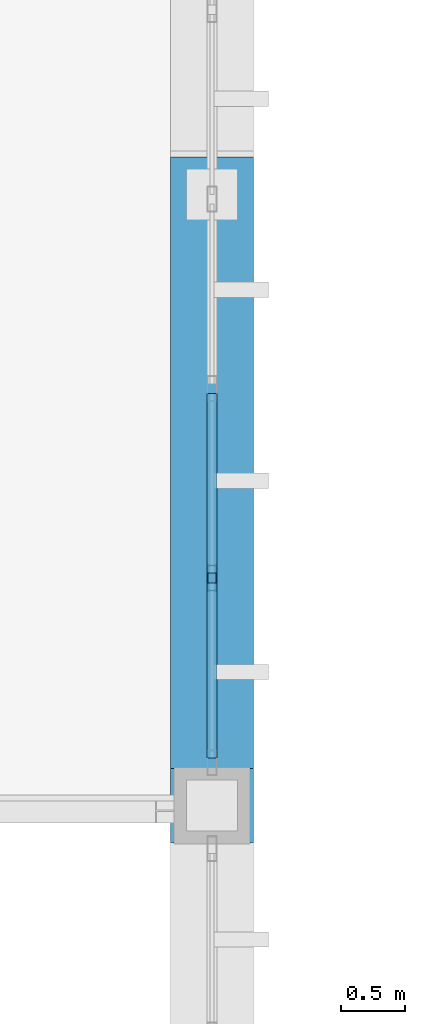
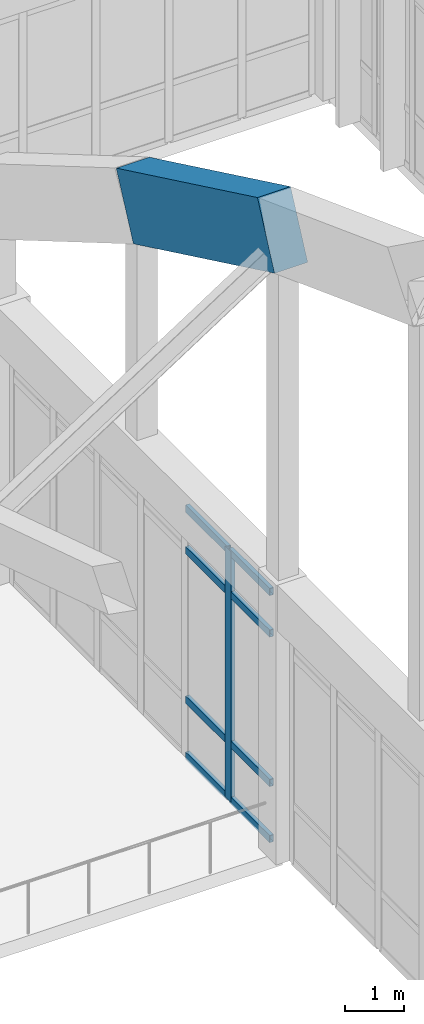
# One storey, part 156 of 236: 10 members, 1 element without a shape of its own.
"""IFC4 building model written with IfcOpenShell, lengths in metres."""

from ifc_helpers import new_model, si_unit, direction, frame, origin, origin_2d, place, context, subcontext, project, spatial, rectangle, hollow_rectangle, extrude, material, layer, layer_set, material_profile, profile_set, type_object, element, aggregate, save


model = new_model("IFC4")

# Units and contexts
model_context = context("Model", 3, precision=1e-05, world=origin(), true_north=direction((0.0, 1.0)))
body_context = subcontext(model_context, "Body", "Model", "MODEL_VIEW")
ifc_project = project(units=[si_unit("LENGTHUNIT", "METRE"), si_unit("AREAUNIT", "SQUARE_METRE"), si_unit("VOLUMEUNIT", "CUBIC_METRE"), si_unit("PLANEANGLEUNIT", "RADIAN"), si_unit("MASSUNIT", "GRAM", prefix="KILO")], contexts=[model_context])

# Site, building, storey
site_placement = place(None, origin())
site = spatial("IfcSite", under=ifc_project, at=site_placement, CompositionType="ELEMENT")
building_placement = place(site_placement, origin())
building = spatial("IfcBuilding", under=site, at=building_placement, Name="Pandanus Reach Market Hall", CompositionType="ELEMENT")
storey_placement = place(building_placement, frame((0.0, 0.0, 5.39990234375)))
storey = spatial("IfcBuildingStorey", under=building, at=storey_placement, Name="L01", CompositionType="ELEMENT", Elevation=5.39990234375)

# Member
ifc_material_1 = material(Name="Concrete N50 (50 MPa)", Category="concrete")
ifc_material_profile_1 = material_profile(ifc_material_1, rectangle(XDim=0.64990234375, YDim=1.35009765625, at=origin_2d()), Name="RC650x1350", Category="LoadBearing")
ifc_profile_set_1 = profile_set([ifc_material_profile_1], Name="Concrete N50 (50 MPa)")
member_type_1 = type_object("IfcMemberType", Name="AR-RC650-E", PredefinedType="CHORD", material=ifc_profile_set_1)
member_1_placement = place(storey_placement, frame((132.0, 76.800048828125, 12.89111328125), z_axis=(0.0, 0.901832040997, -0.432086761924), x_axis=(-1.0, 0.0, 0.0)))
element("IfcMember", 1, at=member_1_placement, inside=storey, type_object=member_type_1, Name="Parabolic arch top chord A8.11", PredefinedType="CHORD", context=body_context, shape_type="SweptSolid", body=[
    extrude(rectangle(XDim=0.64990234375, YDim=1.35009765625, at=origin_2d()), origin(), (0.0, 0.0, 1.0), 5.322509765625),
])

# Curtain wall, members
ifc_material_2 = material(Name="Bronze anodised aluminium and low-E glass", Category="aluminium")
ifc_layer = layer(ifc_material_2, 0.199951171875, Name="CW-04")
ifc_layer_set = layer_set([ifc_layer], Name="Bronze anodised aluminium and low-E glass")
curtain_wall_type = type_object("IfcCurtainWallType", Name="CW-04", PredefinedType="NOTDEFINED", material=ifc_layer_set)
curtain_wall_placement = place(storey_placement, origin())
curtain_wall = element("IfcCurtainWall", 2, at=curtain_wall_placement, inside=storey, type_object=curtain_wall_type, Name="Glazed curtain wall CW-04 CW-0037", PredefinedType="NOTDEFINED")
ifc_material_3 = material(Name="Bronze anodised aluminium", Category="aluminium")
ifc_material_profile_2 = material_profile(ifc_material_3, hollow_rectangle(XDim=0.074951171875, YDim=0.199951171875, WallThickness=0.00439453125, at=origin_2d()), Name="ALU75x200", Category="LoadBearing")
ifc_profile_set_2 = profile_set([ifc_material_profile_2], Name="Bronze anodised aluminium")
member_type_2 = type_object("IfcMemberType", Name="CW-M2", PredefinedType="MULLION", material=ifc_profile_set_2)
member_2_placement = place(storey_placement, frame((132.0, 78.58740234375, 0.0), z_axis=(0.0, 0.0, 1.0), x_axis=(-1.0, 0.0, 0.0)))
member_2 = element("IfcMember", 3, at=member_2_placement, type_object=member_type_2, Name="CW-04 mullion 2", PredefinedType="MULLION", context=body_context, shape_type="SweptSolid", body=[
    extrude(hollow_rectangle(XDim=0.074951171875, YDim=0.199951171875, WallThickness=0.00439453125, at=origin_2d()), origin(), (0.0, 0.0, 1.0), 5.2001953125),
])
ifc_material_profile_3 = material_profile(ifc_material_3, hollow_rectangle(XDim=0.074951171875, YDim=0.14990234375, WallThickness=0.00439453125, at=origin_2d()), Name="ALU75x150", Category="LoadBearing")
ifc_profile_set_3 = profile_set([ifc_material_profile_3], Name="Bronze anodised aluminium")
member_type_3 = type_object("IfcMemberType", Name="CW-T2", PredefinedType="USERDEFINED", material=ifc_profile_set_3)
member_3_placement = place(storey_placement, frame((132.0, 77.175048828125, 0.03759765625), z_axis=(0.0, 1.0, 0.0), x_axis=(-1.0, 0.0, 0.0)))
member_3 = element("IfcMember", 4, at=member_3_placement, type_object=member_type_3, Name="CW-04 transom 1.1", ObjectType="TRANSOM", PredefinedType="USERDEFINED", context=body_context, shape_type="SweptSolid", body=[
    extrude(hollow_rectangle(XDim=0.074951171875, YDim=0.14990234375, WallThickness=0.00439453125, at=origin_2d()), origin(), (0.0, 0.0, 1.0), 1.375),
])
member_4_placement = place(storey_placement, frame((132.0, 77.175048828125, 1.2001953125), z_axis=(0.0, 1.0, 0.0), x_axis=(-1.0, 0.0, 0.0)))
member_4 = element("IfcMember", 5, at=member_4_placement, type_object=member_type_3, Name="CW-04 transom 1.2", ObjectType="TRANSOM", PredefinedType="USERDEFINED", context=body_context, shape_type="SweptSolid", body=[
    extrude(hollow_rectangle(XDim=0.074951171875, YDim=0.14990234375, WallThickness=0.00439453125, at=origin_2d()), origin(), (0.0, 0.0, 1.0), 1.375),
])
member_5_placement = place(storey_placement, frame((132.0, 77.175048828125, 4.300048828125), z_axis=(0.0, 1.0, 0.0), x_axis=(-1.0, 0.0, 0.0)))
member_5 = element("IfcMember", 6, at=member_5_placement, type_object=member_type_3, Name="CW-04 transom 1.3", ObjectType="TRANSOM", PredefinedType="USERDEFINED", context=body_context, shape_type="SweptSolid", body=[
    extrude(hollow_rectangle(XDim=0.074951171875, YDim=0.14990234375, WallThickness=0.00439453125, at=origin_2d()), origin(), (0.0, 0.0, 1.0), 1.375),
])
member_6_placement = place(storey_placement, frame((132.0, 77.175048828125, 5.16259765625), z_axis=(0.0, 1.0, 0.0), x_axis=(-1.0, 0.0, 0.0)))
member_6 = element("IfcMember", 7, at=member_6_placement, type_object=member_type_3, Name="CW-04 transom 1.4", ObjectType="TRANSOM", PredefinedType="USERDEFINED", context=body_context, shape_type="SweptSolid", body=[
    extrude(hollow_rectangle(XDim=0.074951171875, YDim=0.14990234375, WallThickness=0.00439453125, at=origin_2d()), origin(), (0.0, 0.0, 1.0), 1.375),
])
member_7_placement = place(storey_placement, frame((132.0, 78.625, 0.03759765625), z_axis=(0.0, 1.0, 0.0), x_axis=(-1.0, 0.0, 0.0)))
member_7 = element("IfcMember", 8, at=member_7_placement, type_object=member_type_3, Name="CW-04 transom 2.1", ObjectType="TRANSOM", PredefinedType="USERDEFINED", context=body_context, shape_type="SweptSolid", body=[
    extrude(hollow_rectangle(XDim=0.074951171875, YDim=0.14990234375, WallThickness=0.00439453125, at=origin_2d()), origin(), (0.0, 0.0, 1.0), 1.41259765625),
])
member_8_placement = place(storey_placement, frame((132.0, 78.625, 1.2001953125), z_axis=(0.0, 1.0, 0.0), x_axis=(-1.0, 0.0, 0.0)))
member_8 = element("IfcMember", 9, at=member_8_placement, type_object=member_type_3, Name="CW-04 transom 2.2", ObjectType="TRANSOM", PredefinedType="USERDEFINED", context=body_context, shape_type="SweptSolid", body=[
    extrude(hollow_rectangle(XDim=0.074951171875, YDim=0.14990234375, WallThickness=0.00439453125, at=origin_2d()), origin(), (0.0, 0.0, 1.0), 1.41259765625),
])
member_9_placement = place(storey_placement, frame((132.0, 78.625, 4.300048828125), z_axis=(0.0, 1.0, 0.0), x_axis=(-1.0, 0.0, 0.0)))
member_9 = element("IfcMember", 10, at=member_9_placement, type_object=member_type_3, Name="CW-04 transom 2.3", ObjectType="TRANSOM", PredefinedType="USERDEFINED", context=body_context, shape_type="SweptSolid", body=[
    extrude(hollow_rectangle(XDim=0.074951171875, YDim=0.14990234375, WallThickness=0.00439453125, at=origin_2d()), origin(), (0.0, 0.0, 1.0), 1.41259765625),
])
member_10_placement = place(storey_placement, frame((132.0, 78.625, 5.16259765625), z_axis=(0.0, 1.0, 0.0), x_axis=(-1.0, 0.0, 0.0)))
member_10 = element("IfcMember", 11, at=member_10_placement, type_object=member_type_3, Name="CW-04 transom 2.4", ObjectType="TRANSOM", PredefinedType="USERDEFINED", context=body_context, shape_type="SweptSolid", body=[
    extrude(hollow_rectangle(XDim=0.074951171875, YDim=0.14990234375, WallThickness=0.00439453125, at=origin_2d()), origin(), (0.0, 0.0, 1.0), 1.41259765625),
])
aggregate(curtain_wall, [member_2, member_3, member_4, member_5, member_6, member_7, member_8, member_9, member_10])

save(model, "model.ifc")
